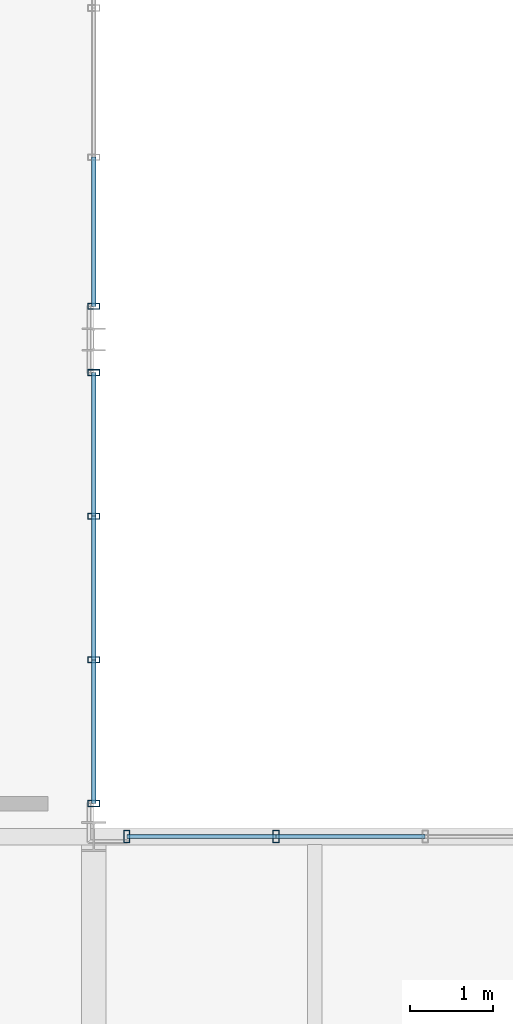
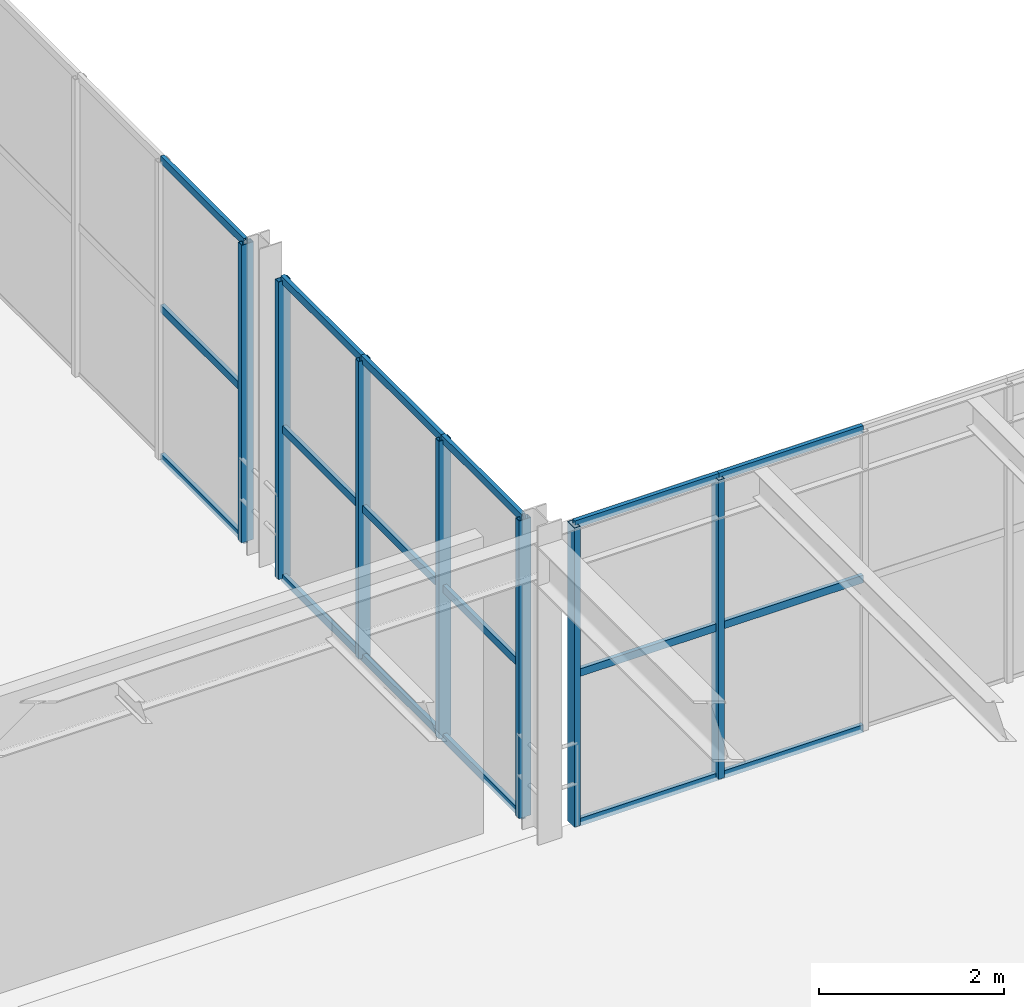
# One storey, part 34 of 122: 25 members, 3 elements without a shape of their own.
"""IFC4 building model written with IfcOpenShell, lengths in metres."""

from ifc_helpers import new_model, si_unit, direction, frame, origin, origin_2d, place, context, subcontext, project, spatial, hollow_rectangle, extrude, material, material_profile, profile_set, type_object, element, aggregate, save


model = new_model("IFC4")

# Units and contexts
model_context = context("Model", 3, precision=1e-05, world=origin(), true_north=direction((0.0, 1.0)))
body_context = subcontext(model_context, "Body", "Model", "MODEL_VIEW")
ifc_project = project(units=[si_unit("LENGTHUNIT", "METRE"), si_unit("AREAUNIT", "SQUARE_METRE"), si_unit("VOLUMEUNIT", "CUBIC_METRE"), si_unit("PLANEANGLEUNIT", "RADIAN"), si_unit("MASSUNIT", "GRAM", prefix="KILO")], contexts=[model_context])

# Site, building, storey
site_placement = place(None, origin())
site = spatial("IfcSite", under=ifc_project, at=site_placement, CompositionType="ELEMENT")
building_placement = place(site_placement, origin())
building = spatial("IfcBuilding", under=site, at=building_placement, Name="Sundkrona Museum", CompositionType="ELEMENT")
storey_placement = place(building_placement, frame((0.0, 0.0, 5.39990234375)))
storey = spatial("IfcBuildingStorey", under=building, at=storey_placement, Name="L01", CompositionType="ELEMENT", Elevation=5.39990234375)

# Curtain wall, members
ifc_material_1 = material(Name="Unitised Aluminium-Steel and Ceramic-Clad Curtain Walling", Category="steel")
curtain_wall_type_1 = type_object("IfcCurtainWallType", Name="CW-AT-72x38", PredefinedType="NOTDEFINED", material=ifc_material_1)
curtain_wall_1_placement = place(storey_placement, origin())
curtain_wall_1 = element("IfcCurtainWall", 1, at=curtain_wall_1_placement, inside=storey, type_object=curtain_wall_type_1, Name="L01 Curtain Wall CW-L01-038", PredefinedType="NOTDEFINED")
ifc_material_2 = material(Name="Aluminium EN AW-6060 T66", Category="aluminium")
ifc_material_profile_1 = material_profile(ifc_material_2, hollow_rectangle(XDim=0.074951171875, YDim=0.14990234375, WallThickness=0.00634765625, at=origin_2d()), Name="RHS 150x75x6.3")
ifc_profile_set_1 = profile_set([ifc_material_profile_1], Name="Aluminium EN AW-6060 T66")
member_type_1 = type_object("IfcMemberType", Name="ML-150", PredefinedType="MULLION", material=ifc_profile_set_1)
member_1_placement = place(storey_placement, frame((96.39990234375, 40.0, -0.00390625), z_axis=(0.0, 0.0, 1.0), x_axis=(1.0, 0.0, 0.0)))
member_1 = element("IfcMember", 2, at=member_1_placement, type_object=member_type_1, Name="CW-L01-038 Mullion 01", PredefinedType="MULLION", context=body_context, shape_type="SweptSolid", body=[
    extrude(hollow_rectangle(XDim=0.074951171875, YDim=0.14990234375, WallThickness=0.00634765625, at=origin_2d()), origin(), (0.0, 0.0, 1.0), 3.947998046875),
])
member_2_placement = place(storey_placement, frame((98.199951171875, 40.0, -0.00390625), z_axis=(0.0, 0.0, 1.0), x_axis=(1.0, 0.0, 0.0)))
member_2 = element("IfcMember", 3, at=member_2_placement, type_object=member_type_1, Name="CW-L01-038 Mullion 02", PredefinedType="MULLION", context=body_context, shape_type="SweptSolid", body=[
    extrude(hollow_rectangle(XDim=0.074951171875, YDim=0.14990234375, WallThickness=0.00634765625, at=origin_2d()), origin(), (0.0, 0.0, 1.0), 3.947998046875),
])

curtain_wall_type_2 = type_object("IfcCurtainWallType", Name="CW-PS-54x38", PredefinedType="NOTDEFINED", material=ifc_material_1)
curtain_wall_2_placement = place(storey_placement, origin())
curtain_wall_2 = element("IfcCurtainWall", 4, at=curtain_wall_2_placement, inside=storey, type_object=curtain_wall_type_2, Name="L01 Curtain Wall CW-L01-109", PredefinedType="NOTDEFINED")
member_3_placement = place(storey_placement, frame((96.0, 40.39990234375, -0.00390625), z_axis=(0.0, 0.0, 1.0), x_axis=(0.0, 1.0, 0.0)))
member_3 = element("IfcMember", 5, at=member_3_placement, type_object=member_type_1, Name="CW-L01-109 Mullion 01", PredefinedType="MULLION", context=body_context, shape_type="SweptSolid", body=[
    extrude(hollow_rectangle(XDim=0.074951171875, YDim=0.14990234375, WallThickness=0.00634765625, at=origin_2d()), origin(), (0.0, 0.0, 1.0), 3.927978515625),
])
member_4_placement = place(storey_placement, frame((96.0, 42.13330078125, -0.00390625), z_axis=(0.0, 0.0, 1.0), x_axis=(0.0, 1.0, 0.0)))
member_4 = element("IfcMember", 6, at=member_4_placement, type_object=member_type_1, Name="CW-L01-109 Mullion 02", PredefinedType="MULLION", context=body_context, shape_type="SweptSolid", body=[
    extrude(hollow_rectangle(XDim=0.074951171875, YDim=0.14990234375, WallThickness=0.00634765625, at=origin_2d()), origin(), (0.0, 0.0, 1.0), 3.927978515625),
])
member_5_placement = place(storey_placement, frame((96.0, 43.86669921875, -0.00390625), z_axis=(0.0, 0.0, 1.0), x_axis=(0.0, 1.0, 0.0)))
member_5 = element("IfcMember", 7, at=member_5_placement, type_object=member_type_1, Name="CW-L01-109 Mullion 03", PredefinedType="MULLION", context=body_context, shape_type="SweptSolid", body=[
    extrude(hollow_rectangle(XDim=0.074951171875, YDim=0.14990234375, WallThickness=0.00634765625, at=origin_2d()), origin(), (0.0, 0.0, 1.0), 3.927978515625),
])
member_6_placement = place(storey_placement, frame((96.0, 45.60009765625, -0.00390625), z_axis=(0.0, 0.0, 1.0), x_axis=(0.0, 1.0, 0.0)))
member_6 = element("IfcMember", 8, at=member_6_placement, type_object=member_type_1, Name="CW-L01-109 Mullion 04", PredefinedType="MULLION", context=body_context, shape_type="SweptSolid", body=[
    extrude(hollow_rectangle(XDim=0.074951171875, YDim=0.14990234375, WallThickness=0.00634765625, at=origin_2d()), origin(), (0.0, 0.0, 1.0), 3.927978515625),
])

# Curtain wall, member
curtain_wall_3_placement = place(storey_placement, origin())
curtain_wall_3 = element("IfcCurtainWall", 9, at=curtain_wall_3_placement, inside=storey, type_object=curtain_wall_type_2, Name="L01 Curtain Wall CW-L01-111", PredefinedType="NOTDEFINED")
member_7_placement = place(storey_placement, frame((96.0, 46.39990234375, -0.00390625), z_axis=(0.0, 0.0, 1.0), x_axis=(0.0, 1.0, 0.0)))
member_7 = element("IfcMember", 10, at=member_7_placement, type_object=member_type_1, Name="CW-L01-111 Mullion 01", PredefinedType="MULLION", context=body_context, shape_type="SweptSolid", body=[
    extrude(hollow_rectangle(XDim=0.074951171875, YDim=0.14990234375, WallThickness=0.00634765625, at=origin_2d()), origin(), (0.0, 0.0, 1.0), 3.927978515625),
])

# Member
ifc_material_profile_2 = material_profile(ifc_material_2, hollow_rectangle(XDim=0.050048828125, YDim=0.10009765625, WallThickness=0.0048828125, at=origin_2d()), Name="RHS 100x50x5.0")
ifc_profile_set_2 = profile_set([ifc_material_profile_2], Name="Aluminium EN AW-6060 T66")
member_type_2 = type_object("IfcMemberType", Name="TR-100", PredefinedType="USERDEFINED", material=ifc_profile_set_2)
member_8_placement = place(storey_placement, frame((96.39990234375, 40.0, -0.00390625), z_axis=(1.0, 0.0, 0.0), x_axis=(0.0, 1.0, 0.0)))
member_8 = element("IfcMember", 11, at=member_8_placement, type_object=member_type_2, Name="CW-L01-038 Transom 01", ObjectType="TRANSOM", PredefinedType="USERDEFINED", context=body_context, shape_type="SweptSolid", body=[
    extrude(hollow_rectangle(XDim=0.050048828125, YDim=0.10009765625, WallThickness=0.0048828125, at=origin_2d()), origin(), (0.0, 0.0, 1.0), 1.800048828125),
])

member_9_placement = place(storey_placement, frame((96.39990234375, 40.0, 1.97021484375), z_axis=(1.0, 0.0, 0.0), x_axis=(0.0, 1.0, 0.0)))
member_9 = element("IfcMember", 12, at=member_9_placement, type_object=member_type_2, Name="CW-L01-038 Transom 02", ObjectType="TRANSOM", PredefinedType="USERDEFINED", context=body_context, shape_type="SweptSolid", body=[
    extrude(hollow_rectangle(XDim=0.050048828125, YDim=0.10009765625, WallThickness=0.0048828125, at=origin_2d()), origin(), (0.0, 0.0, 1.0), 1.800048828125),
])

member_10_placement = place(storey_placement, frame((96.39990234375, 40.0, 3.944091796875), z_axis=(1.0, 0.0, 0.0), x_axis=(0.0, 1.0, 0.0)))
member_10 = element("IfcMember", 13, at=member_10_placement, type_object=member_type_2, Name="CW-L01-038 Transom 03", ObjectType="TRANSOM", PredefinedType="USERDEFINED", context=body_context, shape_type="SweptSolid", body=[
    extrude(hollow_rectangle(XDim=0.050048828125, YDim=0.10009765625, WallThickness=0.0048828125, at=origin_2d()), origin(), (0.0, 0.0, 1.0), 1.800048828125),
])

member_11_placement = place(storey_placement, frame((98.199951171875, 40.0, -0.00390625), z_axis=(1.0, 0.0, 0.0), x_axis=(0.0, 1.0, 0.0)))
member_11 = element("IfcMember", 14, at=member_11_placement, type_object=member_type_2, Name="CW-L01-038 Transom 04", ObjectType="TRANSOM", PredefinedType="USERDEFINED", context=body_context, shape_type="SweptSolid", body=[
    extrude(hollow_rectangle(XDim=0.050048828125, YDim=0.10009765625, WallThickness=0.0048828125, at=origin_2d()), origin(), (0.0, 0.0, 1.0), 1.800048828125),
])

member_12_placement = place(storey_placement, frame((98.199951171875, 40.0, 1.97021484375), z_axis=(1.0, 0.0, 0.0), x_axis=(0.0, 1.0, 0.0)))
member_12 = element("IfcMember", 15, at=member_12_placement, type_object=member_type_2, Name="CW-L01-038 Transom 05", ObjectType="TRANSOM", PredefinedType="USERDEFINED", context=body_context, shape_type="SweptSolid", body=[
    extrude(hollow_rectangle(XDim=0.050048828125, YDim=0.10009765625, WallThickness=0.0048828125, at=origin_2d()), origin(), (0.0, 0.0, 1.0), 1.800048828125),
])

member_13_placement = place(storey_placement, frame((98.199951171875, 40.0, 3.944091796875), z_axis=(1.0, 0.0, 0.0), x_axis=(0.0, 1.0, 0.0)))
member_13 = element("IfcMember", 16, at=member_13_placement, type_object=member_type_2, Name="CW-L01-038 Transom 06", ObjectType="TRANSOM", PredefinedType="USERDEFINED", context=body_context, shape_type="SweptSolid", body=[
    extrude(hollow_rectangle(XDim=0.050048828125, YDim=0.10009765625, WallThickness=0.0048828125, at=origin_2d()), origin(), (0.0, 0.0, 1.0), 1.800048828125),
])

aggregate(curtain_wall_1, [member_1, member_2, member_8, member_9, member_10, member_11, member_12, member_13])

member_14_placement = place(storey_placement, frame((96.0, 40.39990234375, -0.00390625), z_axis=(0.0, 1.0, 0.0), x_axis=(-1.0, 0.0, 0.0)))
member_14 = element("IfcMember", 17, at=member_14_placement, type_object=member_type_2, Name="CW-L01-109 Transom 01", ObjectType="TRANSOM", PredefinedType="USERDEFINED", context=body_context, shape_type="SweptSolid", body=[
    extrude(hollow_rectangle(XDim=0.050048828125, YDim=0.10009765625, WallThickness=0.0048828125, at=origin_2d()), origin(), (0.0, 0.0, 1.0), 1.7333984375),
])

member_15_placement = place(storey_placement, frame((96.0, 40.39990234375, 1.960205078125), z_axis=(0.0, 1.0, 0.0), x_axis=(-1.0, 0.0, 0.0)))
member_15 = element("IfcMember", 18, at=member_15_placement, type_object=member_type_2, Name="CW-L01-109 Transom 02", ObjectType="TRANSOM", PredefinedType="USERDEFINED", context=body_context, shape_type="SweptSolid", body=[
    extrude(hollow_rectangle(XDim=0.050048828125, YDim=0.10009765625, WallThickness=0.0048828125, at=origin_2d()), origin(), (0.0, 0.0, 1.0), 1.7333984375),
])

member_16_placement = place(storey_placement, frame((96.0, 40.39990234375, 3.924072265625), z_axis=(0.0, 1.0, 0.0), x_axis=(-1.0, 0.0, 0.0)))
member_16 = element("IfcMember", 19, at=member_16_placement, type_object=member_type_2, Name="CW-L01-109 Transom 03", ObjectType="TRANSOM", PredefinedType="USERDEFINED", context=body_context, shape_type="SweptSolid", body=[
    extrude(hollow_rectangle(XDim=0.050048828125, YDim=0.10009765625, WallThickness=0.0048828125, at=origin_2d()), origin(), (0.0, 0.0, 1.0), 1.7333984375),
])

member_17_placement = place(storey_placement, frame((96.0, 42.13330078125, -0.00390625), z_axis=(0.0, 1.0, 0.0), x_axis=(-1.0, 0.0, 0.0)))
member_17 = element("IfcMember", 20, at=member_17_placement, type_object=member_type_2, Name="CW-L01-109 Transom 04", ObjectType="TRANSOM", PredefinedType="USERDEFINED", context=body_context, shape_type="SweptSolid", body=[
    extrude(hollow_rectangle(XDim=0.050048828125, YDim=0.10009765625, WallThickness=0.0048828125, at=origin_2d()), origin(), (0.0, 0.0, 1.0), 1.7333984375),
])

member_18_placement = place(storey_placement, frame((96.0, 42.13330078125, 1.960205078125), z_axis=(0.0, 1.0, 0.0), x_axis=(-1.0, 0.0, 0.0)))
member_18 = element("IfcMember", 21, at=member_18_placement, type_object=member_type_2, Name="CW-L01-109 Transom 05", ObjectType="TRANSOM", PredefinedType="USERDEFINED", context=body_context, shape_type="SweptSolid", body=[
    extrude(hollow_rectangle(XDim=0.050048828125, YDim=0.10009765625, WallThickness=0.0048828125, at=origin_2d()), origin(), (0.0, 0.0, 1.0), 1.7333984375),
])

member_19_placement = place(storey_placement, frame((96.0, 42.13330078125, 3.924072265625), z_axis=(0.0, 1.0, 0.0), x_axis=(-1.0, 0.0, 0.0)))
member_19 = element("IfcMember", 22, at=member_19_placement, type_object=member_type_2, Name="CW-L01-109 Transom 06", ObjectType="TRANSOM", PredefinedType="USERDEFINED", context=body_context, shape_type="SweptSolid", body=[
    extrude(hollow_rectangle(XDim=0.050048828125, YDim=0.10009765625, WallThickness=0.0048828125, at=origin_2d()), origin(), (0.0, 0.0, 1.0), 1.7333984375),
])

member_20_placement = place(storey_placement, frame((96.0, 43.86669921875, -0.00390625), z_axis=(0.0, 1.0, 0.0), x_axis=(-1.0, 0.0, 0.0)))
member_20 = element("IfcMember", 23, at=member_20_placement, type_object=member_type_2, Name="CW-L01-109 Transom 07", ObjectType="TRANSOM", PredefinedType="USERDEFINED", context=body_context, shape_type="SweptSolid", body=[
    extrude(hollow_rectangle(XDim=0.050048828125, YDim=0.10009765625, WallThickness=0.0048828125, at=origin_2d()), origin(), (0.0, 0.0, 1.0), 1.7333984375),
])

member_21_placement = place(storey_placement, frame((96.0, 43.86669921875, 1.960205078125), z_axis=(0.0, 1.0, 0.0), x_axis=(-1.0, 0.0, 0.0)))
member_21 = element("IfcMember", 24, at=member_21_placement, type_object=member_type_2, Name="CW-L01-109 Transom 08", ObjectType="TRANSOM", PredefinedType="USERDEFINED", context=body_context, shape_type="SweptSolid", body=[
    extrude(hollow_rectangle(XDim=0.050048828125, YDim=0.10009765625, WallThickness=0.0048828125, at=origin_2d()), origin(), (0.0, 0.0, 1.0), 1.7333984375),
])

member_22_placement = place(storey_placement, frame((96.0, 43.86669921875, 3.924072265625), z_axis=(0.0, 1.0, 0.0), x_axis=(-1.0, 0.0, 0.0)))
member_22 = element("IfcMember", 25, at=member_22_placement, type_object=member_type_2, Name="CW-L01-109 Transom 09", ObjectType="TRANSOM", PredefinedType="USERDEFINED", context=body_context, shape_type="SweptSolid", body=[
    extrude(hollow_rectangle(XDim=0.050048828125, YDim=0.10009765625, WallThickness=0.0048828125, at=origin_2d()), origin(), (0.0, 0.0, 1.0), 1.7333984375),
])

aggregate(curtain_wall_2, [member_3, member_4, member_5, member_6, member_14, member_15, member_16, member_17, member_18, member_19, member_20, member_21, member_22])

member_23_placement = place(storey_placement, frame((96.0, 46.39990234375, -0.00390625), z_axis=(0.0, 1.0, 0.0), x_axis=(-1.0, 0.0, 0.0)))
member_23 = element("IfcMember", 26, at=member_23_placement, type_object=member_type_2, Name="CW-L01-111 Transom 01", ObjectType="TRANSOM", PredefinedType="USERDEFINED", context=body_context, shape_type="SweptSolid", body=[
    extrude(hollow_rectangle(XDim=0.050048828125, YDim=0.10009765625, WallThickness=0.0048828125, at=origin_2d()), origin(), (0.0, 0.0, 1.0), 1.800048828125),
])

member_24_placement = place(storey_placement, frame((96.0, 46.39990234375, 1.960205078125), z_axis=(0.0, 1.0, 0.0), x_axis=(-1.0, 0.0, 0.0)))
member_24 = element("IfcMember", 27, at=member_24_placement, type_object=member_type_2, Name="CW-L01-111 Transom 02", ObjectType="TRANSOM", PredefinedType="USERDEFINED", context=body_context, shape_type="SweptSolid", body=[
    extrude(hollow_rectangle(XDim=0.050048828125, YDim=0.10009765625, WallThickness=0.0048828125, at=origin_2d()), origin(), (0.0, 0.0, 1.0), 1.800048828125),
])

member_25_placement = place(storey_placement, frame((96.0, 46.39990234375, 3.924072265625), z_axis=(0.0, 1.0, 0.0), x_axis=(-1.0, 0.0, 0.0)))
member_25 = element("IfcMember", 28, at=member_25_placement, type_object=member_type_2, Name="CW-L01-111 Transom 03", ObjectType="TRANSOM", PredefinedType="USERDEFINED", context=body_context, shape_type="SweptSolid", body=[
    extrude(hollow_rectangle(XDim=0.050048828125, YDim=0.10009765625, WallThickness=0.0048828125, at=origin_2d()), origin(), (0.0, 0.0, 1.0), 1.800048828125),
])

aggregate(curtain_wall_3, [member_7, member_23, member_24, member_25])

save(model, "model.ifc")
